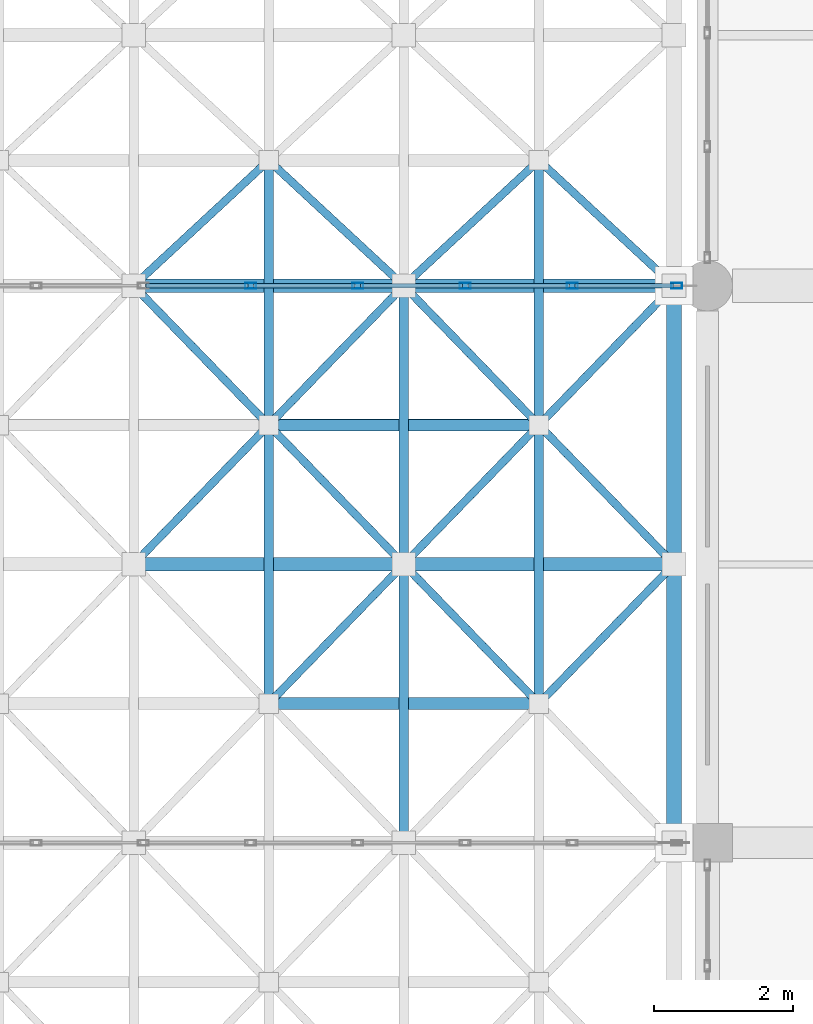
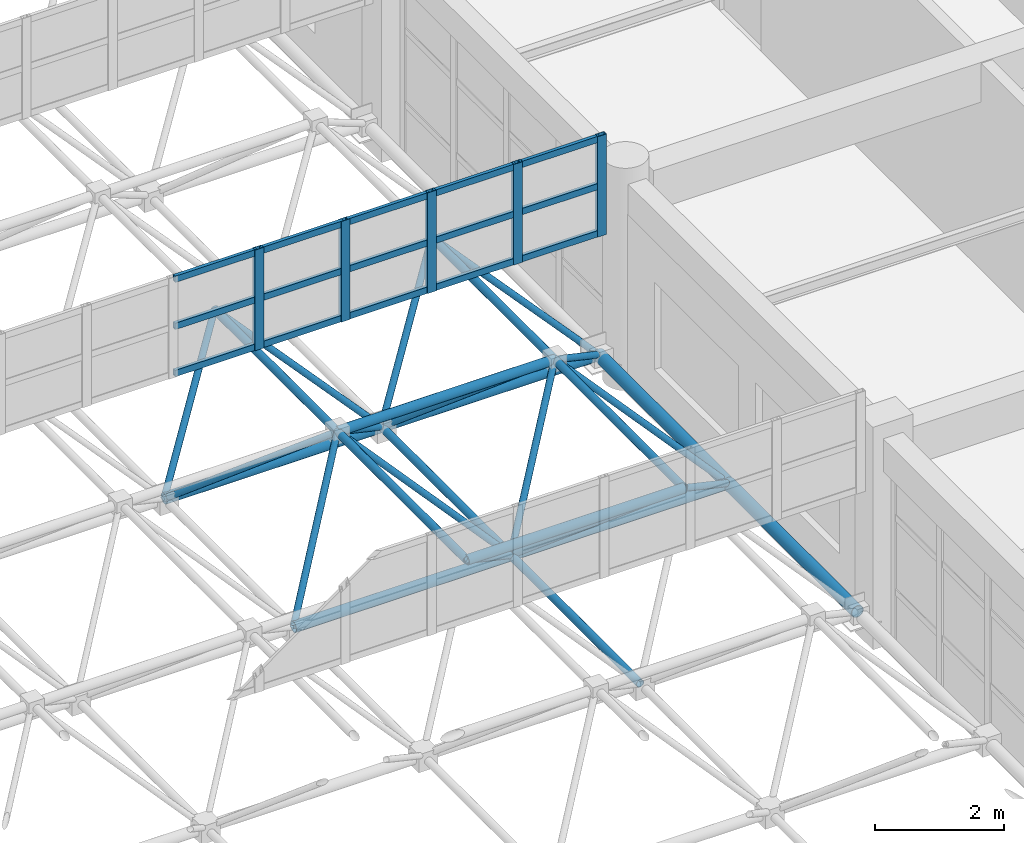
# One storey, part 91 of 195: 49 members, 1 element without a shape of its own.
"""IFC4 building model written with IfcOpenShell, lengths in metres."""

from ifc_helpers import new_model, si_unit, direction, frame, origin, origin_2d, place, context, subcontext, project, spatial, hollow_rectangle, hollow_circle, extrude, material, material_profile, profile_set, type_object, element, aggregate, save


model = new_model("IFC4")

# Units and contexts
model_context = context("Model", 3, precision=1e-05, world=origin(), true_north=direction((0.0, 1.0)))
body_context = subcontext(model_context, "Body", "Model", "MODEL_VIEW")
ifc_project = project(units=[si_unit("LENGTHUNIT", "METRE"), si_unit("AREAUNIT", "SQUARE_METRE"), si_unit("VOLUMEUNIT", "CUBIC_METRE"), si_unit("PLANEANGLEUNIT", "RADIAN"), si_unit("MASSUNIT", "GRAM", prefix="KILO")], contexts=[model_context])

# Site, building, storey
site_placement = place(None, origin())
site = spatial("IfcSite", under=ifc_project, at=site_placement, CompositionType="ELEMENT")
building_placement = place(site_placement, origin())
building = spatial("IfcBuilding", under=site, at=building_placement, Name="Kharva Crest Polytechnic", CompositionType="ELEMENT")
storey_placement = place(building_placement, frame((0.0, 0.0, 9.0)))
storey = spatial("IfcBuildingStorey", under=building, at=storey_placement, Name="L02", CompositionType="ELEMENT", Elevation=9.0)

# Curtain wall, members
ifc_material_1 = material(Name="Tempered insulated glass", Category="glass")
curtain_wall_type = type_object("IfcCurtainWallType", Name="CW-SYS-NORTHLIGHT", PredefinedType="USERDEFINED", material=ifc_material_1)
curtain_wall_placement = place(storey_placement, origin())
curtain_wall = element("IfcCurtainWall", 1, at=curtain_wall_placement, inside=storey, type_object=curtain_wall_type, Name="L02 Glazed Curtain Wall CW-198", ObjectType="CURTAIN WALL", PredefinedType="USERDEFINED")
ifc_material_2 = material(Name="Steel S355", Category="steel")
ifc_material_profile_1 = material_profile(ifc_material_2, hollow_rectangle(XDim=0.080078125, YDim=0.159912109375, WallThickness=0.0048828125, at=origin_2d()), Name="RHS 160X80X5.0")
ifc_profile_set_1 = profile_set([ifc_material_profile_1], Name="Steel S355")
member_type_1 = type_object("IfcMemberType", Name="CWM-RHS160X80", PredefinedType="MULLION", material=ifc_profile_set_1)
member_1_placement = place(storey_placement, frame((25.43994140625, 78.800048828125, 2.85009765625), z_axis=(0.0, 0.0, 1.0), x_axis=(0.0, 1.0, 0.0)))
member_1 = element("IfcMember", 2, at=member_1_placement, type_object=member_type_1, Name="CW-198 mullion 7", PredefinedType="MULLION", context=body_context, shape_type="SweptSolid", body=[
    extrude(hollow_rectangle(XDim=0.080078125, YDim=0.159912109375, WallThickness=0.0048828125, at=origin_2d()), origin(), (0.0, 0.0, 1.0), 1.89990234375),
])
member_2_placement = place(storey_placement, frame((26.97998046875, 78.800048828125, 2.85009765625), z_axis=(0.0, 0.0, 1.0), x_axis=(0.0, 1.0, 0.0)))
member_2 = element("IfcMember", 3, at=member_2_placement, type_object=member_type_1, Name="CW-198 mullion 8", PredefinedType="MULLION", context=body_context, shape_type="SweptSolid", body=[
    extrude(hollow_rectangle(XDim=0.080078125, YDim=0.159912109375, WallThickness=0.0048828125, at=origin_2d()), origin(), (0.0, 0.0, 1.0), 1.89990234375),
])
member_3_placement = place(storey_placement, frame((28.52001953125, 78.800048828125, 2.85009765625), z_axis=(0.0, 0.0, 1.0), x_axis=(0.0, 1.0, 0.0)))
member_3 = element("IfcMember", 4, at=member_3_placement, type_object=member_type_1, Name="CW-198 mullion 9", PredefinedType="MULLION", context=body_context, shape_type="SweptSolid", body=[
    extrude(hollow_rectangle(XDim=0.080078125, YDim=0.159912109375, WallThickness=0.0048828125, at=origin_2d()), origin(), (0.0, 0.0, 1.0), 1.89990234375),
])
member_4_placement = place(storey_placement, frame((30.06005859375, 78.800048828125, 2.85009765625), z_axis=(0.0, 0.0, 1.0), x_axis=(0.0, 1.0, 0.0)))
member_4 = element("IfcMember", 5, at=member_4_placement, type_object=member_type_1, Name="CW-198 mullion 10", PredefinedType="MULLION", context=body_context, shape_type="SweptSolid", body=[
    extrude(hollow_rectangle(XDim=0.080078125, YDim=0.159912109375, WallThickness=0.0048828125, at=origin_2d()), origin(), (0.0, 0.0, 1.0), 1.89990234375),
])
member_5_placement = place(storey_placement, frame((31.56005859375, 78.800048828125, 2.85009765625), z_axis=(0.0, 0.0, 1.0), x_axis=(0.0, 1.0, 0.0)))
member_5 = element("IfcMember", 6, at=member_5_placement, type_object=member_type_1, Name="CW-198 mullion 11", PredefinedType="MULLION", context=body_context, shape_type="SweptSolid", body=[
    extrude(hollow_rectangle(XDim=0.080078125, YDim=0.159912109375, WallThickness=0.0048828125, at=origin_2d()), origin(), (0.0, 0.0, 1.0), 1.89990234375),
])
ifc_material_profile_2 = material_profile(ifc_material_2, hollow_rectangle(XDim=0.06005859375, YDim=0.1201171875, WallThickness=0.00390625, at=origin_2d()), Name="RHS 120X60X4.0")
ifc_profile_set_2 = profile_set([ifc_material_profile_2], Name="Steel S355")
member_type_2 = type_object("IfcMemberType", Name="CWT-RHS120X60", PredefinedType="USERDEFINED", material=ifc_profile_set_2)
member_6_placement = place(storey_placement, frame((23.93994140625, 78.800048828125, 2.909912109375), z_axis=(1.0, 0.0, 0.0), x_axis=(0.0, 1.0, 0.0)))
member_6 = element("IfcMember", 7, at=member_6_placement, type_object=member_type_2, Name="CW-198 transom 6.1", ObjectType="TRANSOM", PredefinedType="USERDEFINED", context=body_context, shape_type="SweptSolid", body=[
    extrude(hollow_rectangle(XDim=0.06005859375, YDim=0.1201171875, WallThickness=0.00390625, at=origin_2d()), origin(), (0.0, 0.0, 1.0), 1.4599609375),
])
member_7_placement = place(storey_placement, frame((23.93994140625, 78.800048828125, 3.800048828125), z_axis=(1.0, 0.0, 0.0), x_axis=(0.0, 1.0, 0.0)))
member_7 = element("IfcMember", 8, at=member_7_placement, type_object=member_type_2, Name="CW-198 transom 6.2", ObjectType="TRANSOM", PredefinedType="USERDEFINED", context=body_context, shape_type="SweptSolid", body=[
    extrude(hollow_rectangle(XDim=0.06005859375, YDim=0.1201171875, WallThickness=0.00390625, at=origin_2d()), origin(), (0.0, 0.0, 1.0), 1.4599609375),
])
member_8_placement = place(storey_placement, frame((23.93994140625, 78.800048828125, 4.68994140625), z_axis=(1.0, 0.0, 0.0), x_axis=(0.0, 1.0, 0.0)))
member_8 = element("IfcMember", 9, at=member_8_placement, type_object=member_type_2, Name="CW-198 transom 6.3", ObjectType="TRANSOM", PredefinedType="USERDEFINED", context=body_context, shape_type="SweptSolid", body=[
    extrude(hollow_rectangle(XDim=0.06005859375, YDim=0.1201171875, WallThickness=0.00390625, at=origin_2d()), origin(), (0.0, 0.0, 1.0), 1.4599609375),
])
member_9_placement = place(storey_placement, frame((25.47998046875, 78.800048828125, 2.909912109375), z_axis=(1.0, 0.0, 0.0), x_axis=(0.0, 1.0, 0.0)))
member_9 = element("IfcMember", 10, at=member_9_placement, type_object=member_type_2, Name="CW-198 transom 7.1", ObjectType="TRANSOM", PredefinedType="USERDEFINED", context=body_context, shape_type="SweptSolid", body=[
    extrude(hollow_rectangle(XDim=0.06005859375, YDim=0.1201171875, WallThickness=0.00390625, at=origin_2d()), origin(), (0.0, 0.0, 1.0), 1.4599609375),
])
member_10_placement = place(storey_placement, frame((25.47998046875, 78.800048828125, 3.800048828125), z_axis=(1.0, 0.0, 0.0), x_axis=(0.0, 1.0, 0.0)))
member_10 = element("IfcMember", 11, at=member_10_placement, type_object=member_type_2, Name="CW-198 transom 7.2", ObjectType="TRANSOM", PredefinedType="USERDEFINED", context=body_context, shape_type="SweptSolid", body=[
    extrude(hollow_rectangle(XDim=0.06005859375, YDim=0.1201171875, WallThickness=0.00390625, at=origin_2d()), origin(), (0.0, 0.0, 1.0), 1.4599609375),
])
member_11_placement = place(storey_placement, frame((25.47998046875, 78.800048828125, 4.68994140625), z_axis=(1.0, 0.0, 0.0), x_axis=(0.0, 1.0, 0.0)))
member_11 = element("IfcMember", 12, at=member_11_placement, type_object=member_type_2, Name="CW-198 transom 7.3", ObjectType="TRANSOM", PredefinedType="USERDEFINED", context=body_context, shape_type="SweptSolid", body=[
    extrude(hollow_rectangle(XDim=0.06005859375, YDim=0.1201171875, WallThickness=0.00390625, at=origin_2d()), origin(), (0.0, 0.0, 1.0), 1.4599609375),
])
member_12_placement = place(storey_placement, frame((27.02001953125, 78.800048828125, 2.909912109375), z_axis=(1.0, 0.0, 0.0), x_axis=(0.0, 1.0, 0.0)))
member_12 = element("IfcMember", 13, at=member_12_placement, type_object=member_type_2, Name="CW-198 transom 8.1", ObjectType="TRANSOM", PredefinedType="USERDEFINED", context=body_context, shape_type="SweptSolid", body=[
    extrude(hollow_rectangle(XDim=0.06005859375, YDim=0.1201171875, WallThickness=0.00390625, at=origin_2d()), origin(), (0.0, 0.0, 1.0), 1.4599609375),
])
member_13_placement = place(storey_placement, frame((27.02001953125, 78.800048828125, 3.800048828125), z_axis=(1.0, 0.0, 0.0), x_axis=(0.0, 1.0, 0.0)))
member_13 = element("IfcMember", 14, at=member_13_placement, type_object=member_type_2, Name="CW-198 transom 8.2", ObjectType="TRANSOM", PredefinedType="USERDEFINED", context=body_context, shape_type="SweptSolid", body=[
    extrude(hollow_rectangle(XDim=0.06005859375, YDim=0.1201171875, WallThickness=0.00390625, at=origin_2d()), origin(), (0.0, 0.0, 1.0), 1.4599609375),
])
member_14_placement = place(storey_placement, frame((27.02001953125, 78.800048828125, 4.68994140625), z_axis=(1.0, 0.0, 0.0), x_axis=(0.0, 1.0, 0.0)))
member_14 = element("IfcMember", 15, at=member_14_placement, type_object=member_type_2, Name="CW-198 transom 8.3", ObjectType="TRANSOM", PredefinedType="USERDEFINED", context=body_context, shape_type="SweptSolid", body=[
    extrude(hollow_rectangle(XDim=0.06005859375, YDim=0.1201171875, WallThickness=0.00390625, at=origin_2d()), origin(), (0.0, 0.0, 1.0), 1.4599609375),
])
member_15_placement = place(storey_placement, frame((28.56005859375, 78.800048828125, 2.909912109375), z_axis=(1.0, 0.0, 0.0), x_axis=(0.0, 1.0, 0.0)))
member_15 = element("IfcMember", 16, at=member_15_placement, type_object=member_type_2, Name="CW-198 transom 9.1", ObjectType="TRANSOM", PredefinedType="USERDEFINED", context=body_context, shape_type="SweptSolid", body=[
    extrude(hollow_rectangle(XDim=0.06005859375, YDim=0.1201171875, WallThickness=0.00390625, at=origin_2d()), origin(), (0.0, 0.0, 1.0), 1.4599609375),
])
member_16_placement = place(storey_placement, frame((28.56005859375, 78.800048828125, 3.800048828125), z_axis=(1.0, 0.0, 0.0), x_axis=(0.0, 1.0, 0.0)))
member_16 = element("IfcMember", 17, at=member_16_placement, type_object=member_type_2, Name="CW-198 transom 9.2", ObjectType="TRANSOM", PredefinedType="USERDEFINED", context=body_context, shape_type="SweptSolid", body=[
    extrude(hollow_rectangle(XDim=0.06005859375, YDim=0.1201171875, WallThickness=0.00390625, at=origin_2d()), origin(), (0.0, 0.0, 1.0), 1.4599609375),
])
member_17_placement = place(storey_placement, frame((28.56005859375, 78.800048828125, 4.68994140625), z_axis=(1.0, 0.0, 0.0), x_axis=(0.0, 1.0, 0.0)))
member_17 = element("IfcMember", 18, at=member_17_placement, type_object=member_type_2, Name="CW-198 transom 9.3", ObjectType="TRANSOM", PredefinedType="USERDEFINED", context=body_context, shape_type="SweptSolid", body=[
    extrude(hollow_rectangle(XDim=0.06005859375, YDim=0.1201171875, WallThickness=0.00390625, at=origin_2d()), origin(), (0.0, 0.0, 1.0), 1.4599609375),
])
member_18_placement = place(storey_placement, frame((30.10009765625, 78.800048828125, 2.909912109375), z_axis=(1.0, 0.0, 0.0), x_axis=(0.0, 1.0, 0.0)))
member_18 = element("IfcMember", 19, at=member_18_placement, type_object=member_type_2, Name="CW-198 transom 10.1", ObjectType="TRANSOM", PredefinedType="USERDEFINED", context=body_context, shape_type="SweptSolid", body=[
    extrude(hollow_rectangle(XDim=0.06005859375, YDim=0.1201171875, WallThickness=0.00390625, at=origin_2d()), origin(), (0.0, 0.0, 1.0), 1.419921875),
])
member_19_placement = place(storey_placement, frame((30.10009765625, 78.800048828125, 3.800048828125), z_axis=(1.0, 0.0, 0.0), x_axis=(0.0, 1.0, 0.0)))
member_19 = element("IfcMember", 20, at=member_19_placement, type_object=member_type_2, Name="CW-198 transom 10.2", ObjectType="TRANSOM", PredefinedType="USERDEFINED", context=body_context, shape_type="SweptSolid", body=[
    extrude(hollow_rectangle(XDim=0.06005859375, YDim=0.1201171875, WallThickness=0.00390625, at=origin_2d()), origin(), (0.0, 0.0, 1.0), 1.419921875),
])
member_20_placement = place(storey_placement, frame((30.10009765625, 78.800048828125, 4.68994140625), z_axis=(1.0, 0.0, 0.0), x_axis=(0.0, 1.0, 0.0)))
member_20 = element("IfcMember", 21, at=member_20_placement, type_object=member_type_2, Name="CW-198 transom 10.3", ObjectType="TRANSOM", PredefinedType="USERDEFINED", context=body_context, shape_type="SweptSolid", body=[
    extrude(hollow_rectangle(XDim=0.06005859375, YDim=0.1201171875, WallThickness=0.00390625, at=origin_2d()), origin(), (0.0, 0.0, 1.0), 1.419921875),
])
aggregate(curtain_wall, [member_1, member_2, member_3, member_4, member_5, member_6, member_7, member_8, member_9, member_10, member_11, member_12, member_13, member_14, member_15, member_16, member_17, member_18, member_19, member_20])

# Members
ifc_material_profile_3 = material_profile(ifc_material_2, hollow_circle(Radius=0.05712890625, WallThickness=0.00634765625, at=origin_2d()), Name="CHS 114.3X6.3")
ifc_profile_set_3 = profile_set([ifc_material_profile_3], Name="Steel S355")
member_type_3 = type_object("IfcMemberType", Name="MEM-CHS114", PredefinedType="BRACE", material=ifc_profile_set_3)
for number, where, z_axis, x_axis, name in (
    (22, (27.639892578125, 74.800048828125, 0.60009765625), (-0.584843378742, -0.602949529154, 0.542595694449), (0.717802189577, -0.696247094528, 0.0), "Space Frame Web Diagonal 820"),
    (23, (23.760009765625, 74.800048828125, 0.60009765625), (0.584843378742, 0.602949529154, 0.542595694449), (-0.717802189577, 0.696247094528, 0.0), "Space Frame Web Diagonal 821"),
    (24, (27.639892578125, 74.800048828125, 0.60009765625), (-0.584843378742, 0.602949529154, 0.542595694449), (-0.717802189577, -0.696247094528, 0.0), "Space Frame Web Diagonal 822"),
    (25, (23.760009765625, 78.800048828125, 0.60009765625), (0.584843378742, -0.602949529154, 0.542595694449), (0.717802189577, 0.696247094528, 0.0), "Space Frame Web Diagonal 823"),
    (26, (27.639892578125, 78.800048828125, 0.60009765625), (-0.584843378742, -0.602949529154, 0.542595694449), (0.717802189577, -0.696247094528, 0.0), "Space Frame Web Diagonal 824"),
):
    element("IfcMember", number, at=place(storey_placement, frame(where, z_axis=z_axis, x_axis=x_axis)), inside=storey, type_object=member_type_3, Name=name, PredefinedType="BRACE", context=body_context, shape_type="SweptSolid", body=[
        extrude(hollow_circle(Radius=0.05712890625, WallThickness=0.00634765625, at=origin_2d()), origin(), (0.0, 0.0, 1.0), 3.317138671875),
    ])
for number, where, z_axis, x_axis, name in (
    (27, (23.760009765625, 78.800048828125, 0.60009765625), (0.606147481159, 0.562437122903, 0.562360839555), (-0.680182129432, 0.73304315753, 0.0), "Space Frame Web Diagonal 825"),
    (28, (27.639892578125, 78.800048828125, 0.60009765625), (-0.606147481159, 0.562437122903, 0.562360839555), (-0.680182129432, -0.73304315753, 0.0), "Space Frame Web Diagonal 826"),
):
    element("IfcMember", number, at=place(storey_placement, frame(where, z_axis=z_axis, x_axis=x_axis)), inside=storey, type_object=member_type_3, Name=name, PredefinedType="BRACE", context=body_context, shape_type="SweptSolid", body=[
        extrude(hollow_circle(Radius=0.05712890625, WallThickness=0.00634765625, at=origin_2d()), origin(), (0.0, 0.0, 1.0), 3.200439453125),
    ])
for number, where, z_axis, x_axis, name in (
    (29, (27.639892578125, 74.800048828125, 0.60009765625), (0.584891802813, -0.602923574763, 0.542572338032), (0.717758400015, 0.696292236929, 0.0), "Space Frame Web Diagonal 875"),
    (30, (31.52001953125, 74.800048828125, 0.60009765625), (-0.584843378742, -0.602949529154, 0.542595694449), (0.717802189577, -0.696247094528, 0.0), "Space Frame Web Diagonal 876"),
    (31, (27.639892578125, 74.800048828125, 0.60009765625), (0.584891802813, 0.602923574763, 0.542572338032), (-0.717758400015, 0.696292236929, 0.0), "Space Frame Web Diagonal 877"),
    (32, (31.52001953125, 74.800048828125, 0.60009765625), (-0.584843378742, 0.602949529154, 0.542595694449), (-0.717802189577, -0.696247094528, 0.0), "Space Frame Web Diagonal 878"),
    (33, (27.639892578125, 78.800048828125, 0.60009765625), (0.584891802813, -0.602923574763, 0.542572338032), (0.717758400015, 0.696292236929, 0.0), "Space Frame Web Diagonal 879"),
    (34, (31.52001953125, 78.800048828125, 0.60009765625), (-0.584843378742, -0.602949529154, 0.542595694449), (0.717802189577, -0.696247094528, 0.0), "Space Frame Web Diagonal 880"),
):
    element("IfcMember", number, at=place(storey_placement, frame(where, z_axis=z_axis, x_axis=x_axis)), inside=storey, type_object=member_type_3, Name=name, PredefinedType="BRACE", context=body_context, shape_type="SweptSolid", body=[
        extrude(hollow_circle(Radius=0.05712890625, WallThickness=0.00634765625, at=origin_2d()), origin(), (0.0, 0.0, 1.0), 3.317138671875),
    ])
member_21_placement = place(storey_placement, frame((27.639892578125, 78.800048828125, 0.60009765625), z_axis=(0.606195733531, 0.562411116563, 0.562334836743), x_axis=(-0.680136133543, 0.733085833889, 0.0)))
element("IfcMember", 35, at=member_21_placement, inside=storey, type_object=member_type_3, Name="Space Frame Web Diagonal 881", PredefinedType="BRACE", context=body_context, shape_type="SweptSolid", body=[
    extrude(hollow_circle(Radius=0.05712890625, WallThickness=0.00634765625, at=origin_2d()), origin(), (0.0, 0.0, 1.0), 3.20068359375),
])
member_22_placement = place(storey_placement, frame((31.52001953125, 78.800048828125, 0.60009765625), z_axis=(-0.606147481159, 0.562437122903, 0.562360839555), x_axis=(-0.680182129432, -0.73304315753, 0.0)))
element("IfcMember", 36, at=member_22_placement, inside=storey, type_object=member_type_3, Name="Space Frame Web Diagonal 882", PredefinedType="BRACE", context=body_context, shape_type="SweptSolid", body=[
    extrude(hollow_circle(Radius=0.05712890625, WallThickness=0.00634765625, at=origin_2d()), origin(), (0.0, 0.0, 1.0), 3.200439453125),
])
ifc_material_profile_4 = material_profile(ifc_material_2, hollow_circle(Radius=0.06982421875, WallThickness=0.00634765625, at=origin_2d()), Name="CHS 139.7X6.3")
ifc_profile_set_4 = profile_set([ifc_material_profile_4], Name="Steel S355")
member_type_4 = type_object("IfcMemberType", Name="MEM-CHS139", PredefinedType="CHORD", material=ifc_profile_set_4)
for number, where, z_axis, x_axis, name in (
    (37, (27.639892578125, 70.800048828125, 0.60009765625), (0.0, 1.0, 0.0), (-1.0, 0.0, 0.0), "Space Frame Bottom Chord Y 227"),
    (38, (27.639892578125, 74.800048828125, 0.60009765625), (0.0, 1.0, 0.0), (-1.0, 0.0, 0.0), "Space Frame Bottom Chord Y 228"),
    (39, (25.699951171875, 72.800048828125, 2.39990234375), (0.0, 1.0, 0.0), (-1.0, 0.0, 0.0), "Space Frame Top Chord Y 431"),
):
    element("IfcMember", number, at=place(storey_placement, frame(where, z_axis=z_axis, x_axis=x_axis)), inside=storey, type_object=member_type_4, Name=name, PredefinedType="CHORD", context=body_context, shape_type="SweptSolid", body=[
        extrude(hollow_circle(Radius=0.06982421875, WallThickness=0.00634765625, at=origin_2d()), origin(), (0.0, 0.0, 1.0), 4.0),
    ])
member_23_placement = place(storey_placement, frame((25.699951171875, 76.800048828125, 2.39990234375), z_axis=(0.0, 1.0, 0.0), x_axis=(-1.0, 0.0, 0.0)))
element("IfcMember", 40, at=member_23_placement, inside=storey, type_object=member_type_4, Name="Space Frame Top Chord Y 432", PredefinedType="CHORD", context=body_context, shape_type="SweptSolid", body=[
    extrude(hollow_circle(Radius=0.06982421875, WallThickness=0.00634765625, at=origin_2d()), origin(), (0.0, 0.0, 1.0), 3.800048828125),
])
member_24_placement = place(storey_placement, frame((29.580078125, 72.800048828125, 2.39990234375), z_axis=(0.0, 1.0, 0.0), x_axis=(-1.0, 0.0, 0.0)))
element("IfcMember", 41, at=member_24_placement, inside=storey, type_object=member_type_4, Name="Space Frame Top Chord Y 444", PredefinedType="CHORD", context=body_context, shape_type="SweptSolid", body=[
    extrude(hollow_circle(Radius=0.06982421875, WallThickness=0.00634765625, at=origin_2d()), origin(), (0.0, 0.0, 1.0), 4.0),
])
member_25_placement = place(storey_placement, frame((29.580078125, 76.800048828125, 2.39990234375), z_axis=(0.0, 1.0, 0.0), x_axis=(-1.0, 0.0, 0.0)))
element("IfcMember", 42, at=member_25_placement, inside=storey, type_object=member_type_4, Name="Space Frame Top Chord Y 445", PredefinedType="CHORD", context=body_context, shape_type="SweptSolid", body=[
    extrude(hollow_circle(Radius=0.06982421875, WallThickness=0.00634765625, at=origin_2d()), origin(), (0.0, 0.0, 1.0), 3.800048828125),
])
ifc_material_profile_5 = material_profile(ifc_material_2, hollow_circle(Radius=0.084228515625, WallThickness=0.008056640625, at=origin_2d()), Name="CHS 168.3X8.0")
ifc_profile_set_5 = profile_set([ifc_material_profile_5], Name="Steel S355")
member_type_5 = type_object("IfcMemberType", Name="MEM-CHS168", PredefinedType="CHORD", material=ifc_profile_set_5)
for number, where, z_axis, x_axis, name in (
    (43, (25.699951171875, 72.800048828125, 2.39990234375), (1.0, 0.0, 0.0), (0.0, 1.0, 0.0), "Space Frame Top Chord X 309"),
    (44, (25.699951171875, 76.800048828125, 2.39990234375), (1.0, 0.0, 0.0), (0.0, 1.0, 0.0), "Space Frame Top Chord X 316"),
):
    element("IfcMember", number, at=place(storey_placement, frame(where, z_axis=z_axis, x_axis=x_axis)), inside=storey, type_object=member_type_5, Name=name, PredefinedType="CHORD", context=body_context, shape_type="SweptSolid", body=[
        extrude(hollow_circle(Radius=0.084228515625, WallThickness=0.008056640625, at=origin_2d()), origin(), (0.0, 0.0, 1.0), 3.880126953125),
    ])
ifc_material_profile_6 = material_profile(ifc_material_2, hollow_circle(Radius=0.096923828125, WallThickness=0.008056640625, at=origin_2d()), Name="CHS 193.7X8.0")
ifc_profile_set_6 = profile_set([ifc_material_profile_6], Name="Steel S355")
member_type_6 = type_object("IfcMemberType", Name="MEM-CHS193", PredefinedType="CHORD", material=ifc_profile_set_6)
member_26_placement = place(storey_placement, frame((23.760009765625, 74.800048828125, 0.60009765625), z_axis=(1.0, 0.0, 0.0), x_axis=(0.0, 1.0, 0.0)))
element("IfcMember", 45, at=member_26_placement, inside=storey, type_object=member_type_6, Name="Space Frame Bottom Chord X 79", PredefinedType="CHORD", context=body_context, shape_type="SweptSolid", body=[
    extrude(hollow_circle(Radius=0.096923828125, WallThickness=0.008056640625, at=origin_2d()), origin(), (0.0, 0.0, 1.0), 3.8798828125),
])
member_27_placement = place(storey_placement, frame((27.639892578125, 74.800048828125, 0.60009765625), z_axis=(1.0, 0.0, 0.0), x_axis=(0.0, 1.0, 0.0)))
element("IfcMember", 46, at=member_27_placement, inside=storey, type_object=member_type_6, Name="Space Frame Bottom Chord X 80", PredefinedType="CHORD", context=body_context, shape_type="SweptSolid", body=[
    extrude(hollow_circle(Radius=0.096923828125, WallThickness=0.008056640625, at=origin_2d()), origin(), (0.0, 0.0, 1.0), 3.880126953125),
])
member_28_placement = place(storey_placement, frame((23.760009765625, 78.800048828125, 0.60009765625), z_axis=(1.0, 0.0, 0.0), x_axis=(0.0, 1.0, 0.0)))
element("IfcMember", 47, at=member_28_placement, inside=storey, type_object=member_type_6, Name="Space Frame Bottom Chord X 87", PredefinedType="CHORD", context=body_context, shape_type="SweptSolid", body=[
    extrude(hollow_circle(Radius=0.096923828125, WallThickness=0.008056640625, at=origin_2d()), origin(), (0.0, 0.0, 1.0), 3.8798828125),
])
member_29_placement = place(storey_placement, frame((27.639892578125, 78.800048828125, 0.60009765625), z_axis=(1.0, 0.0, 0.0), x_axis=(0.0, 1.0, 0.0)))
element("IfcMember", 48, at=member_29_placement, inside=storey, type_object=member_type_6, Name="Space Frame Bottom Chord X 88", PredefinedType="CHORD", context=body_context, shape_type="SweptSolid", body=[
    extrude(hollow_circle(Radius=0.096923828125, WallThickness=0.008056640625, at=origin_2d()), origin(), (0.0, 0.0, 1.0), 3.880126953125),
])
ifc_material_profile_7 = material_profile(ifc_material_2, hollow_circle(Radius=0.109619140625, WallThickness=0.010009765625, at=origin_2d()), Name="CHS 219.1X10.0")
ifc_profile_set_7 = profile_set([ifc_material_profile_7], Name="Steel S355")
member_type_7 = type_object("IfcMemberType", Name="MEM-CHS219", PredefinedType="CHORD", material=ifc_profile_set_7)
for number, where, z_axis, x_axis, name in (
    (49, (31.52001953125, 70.800048828125, 0.60009765625), (0.0, 1.0, 0.0), (-1.0, 0.0, 0.0), "Space Frame Bottom Chord Y 241"),
    (50, (31.52001953125, 74.800048828125, 0.60009765625), (0.0, 1.0, 0.0), (-1.0, 0.0, 0.0), "Space Frame Bottom Chord Y 242"),
):
    element("IfcMember", number, at=place(storey_placement, frame(where, z_axis=z_axis, x_axis=x_axis)), inside=storey, type_object=member_type_7, Name=name, PredefinedType="CHORD", context=body_context, shape_type="SweptSolid", body=[
        extrude(hollow_circle(Radius=0.109619140625, WallThickness=0.010009765625, at=origin_2d()), origin(), (0.0, 0.0, 1.0), 4.0),
    ])

save(model, "model.ifc")
